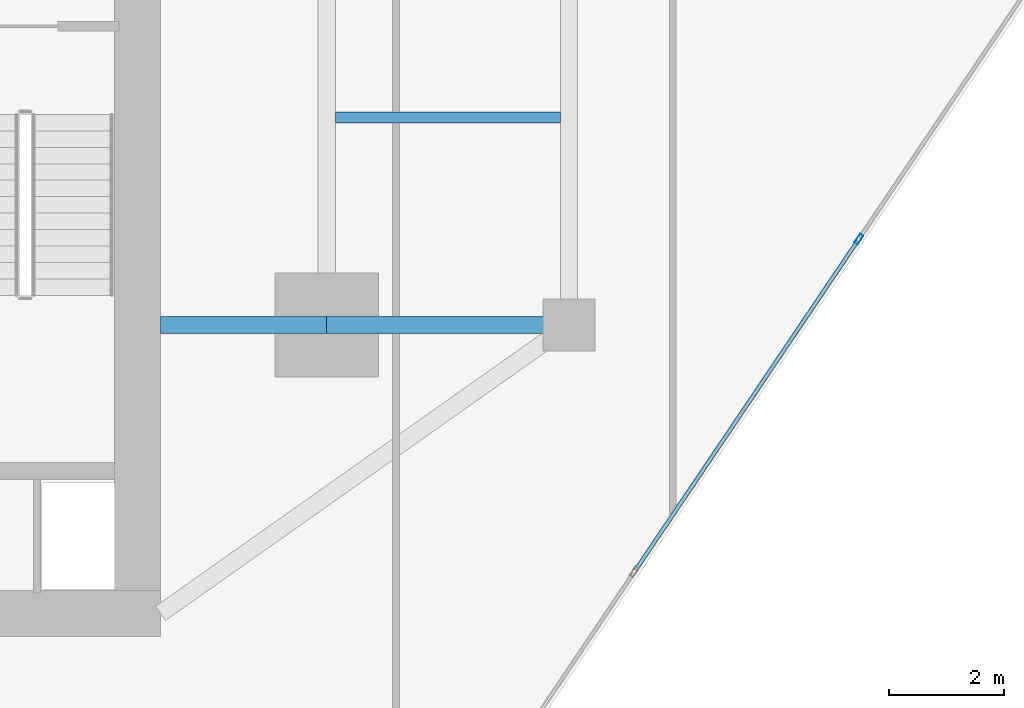
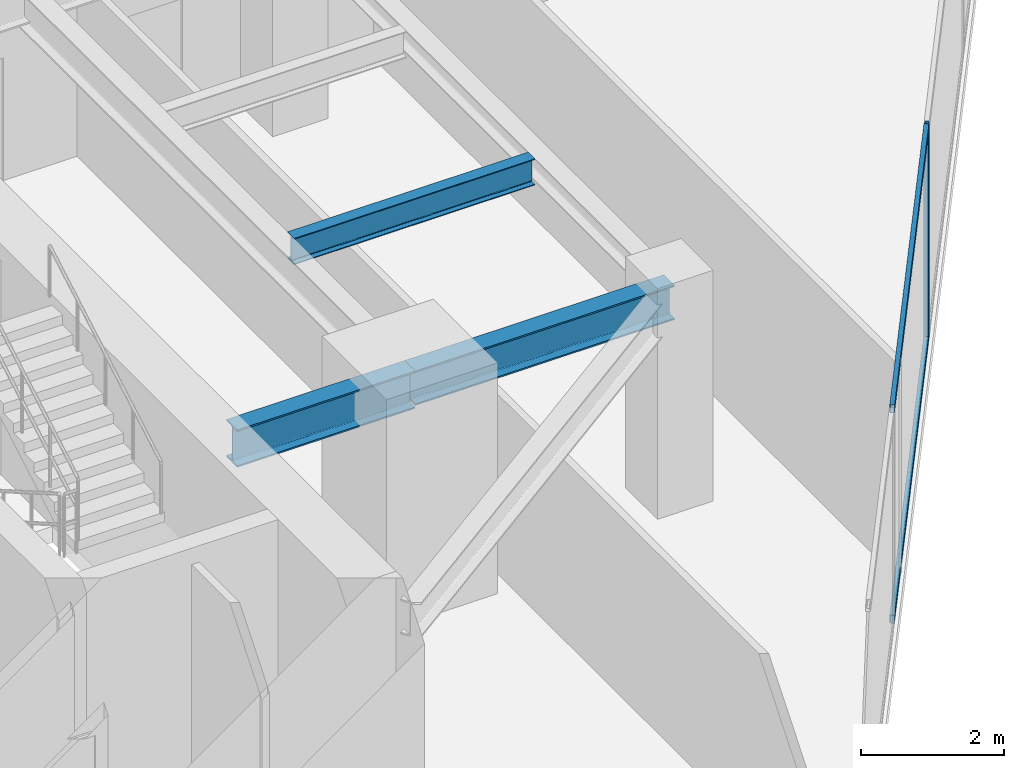
# One storey, part 10 of 27: 3 beams, 3 members, 1 element without a shape of its own.
"""IFC4 building model written with IfcOpenShell, lengths in metres."""

from ifc_helpers import new_model, si_unit, direction, frame, origin, origin_2d, place, context, subcontext, project, spatial, hollow_rectangle, i_section, extrude, source, transform, mapped, material, material_profile, profile_set, type_object, type_shapes, element, aggregate, save


model = new_model("IFC4")

# Units and contexts
model_context = context("Model", 3, precision=1e-05, world=origin(), true_north=direction((0.0, 1.0)))
body_context = subcontext(model_context, "Body", "Model", "MODEL_VIEW")
ifc_project = project(units=[si_unit("LENGTHUNIT", "METRE"), si_unit("AREAUNIT", "SQUARE_METRE"), si_unit("VOLUMEUNIT", "CUBIC_METRE"), si_unit("PLANEANGLEUNIT", "RADIAN"), si_unit("MASSUNIT", "GRAM", prefix="KILO")], contexts=[model_context])

# Site, building, storey
site_placement = place(None, origin())
site = spatial("IfcSite", under=ifc_project, at=site_placement, CompositionType="ELEMENT")
building_placement = place(site_placement, origin())
building = spatial("IfcBuilding", under=site, at=building_placement, Name="Krantzveldt Concourse Tower", CompositionType="ELEMENT")
storey_placement = place(building_placement, frame((0.0, 0.0, 189.64990234375)))
storey = spatial("IfcBuildingStorey", under=building, at=storey_placement, Name="L46", CompositionType="ELEMENT", Elevation=189.64990234375)

# Beams
ifc_material_1 = material(Name="Steel S355JR", Category="steel")
ifc_material_profile_1 = material_profile(ifc_material_1, i_section(OverallWidth=0.300048828125, OverallDepth=0.590087890625, WebThickness=0.012939453125, FlangeThickness=0.02490234375, FilletRadius=0.027099609375, at=origin_2d()), Name="Steel S355JR", Category="steel")
ifc_profile_set_1 = profile_set([ifc_material_profile_1], Name="Steel S355JR - HEA 600")
beam_type_1 = type_object("IfcBeamType", Name="BM-B-HEA600", PredefinedType="BEAM", material=ifc_profile_set_1)
shared_shape_1 = source(origin(), body_context, "Body", "SweptSolid", [
    extrude(i_section(OverallWidth=0.300048828125, OverallDepth=0.590087890625, WebThickness=0.012939453125, FlangeThickness=0.02490234375, FilletRadius=0.027099609375, at=origin_2d()), origin(), (0.0, 0.0, 1.0), 4.199951171875),
])
type_shapes(beam_type_1, [shared_shape_1])
beam_1_placement = place(storey_placement, frame((46.800048828125, 15.89990234375, 3.375), z_axis=(1.0, 0.0, 0.0), x_axis=(0.0, 1.0, 0.0)))
element("IfcBeam", 1, at=beam_1_placement, inside=storey, type_object=beam_type_1, Name="L46 Tower Girder BR-RR1", PredefinedType="BEAM", context=body_context, shape_type="MappedRepresentation", body=[
    mapped(shared_shape_1, transform((0.0, 0.0, 0.0), x_axis=(1.0, 0.0, 0.0), y_axis=(0.0, 1.0, 0.0), z_axis=(0.0, 0.0, 1.0), scale=1.0)),
])
ifc_material_profile_2 = material_profile(ifc_material_1, i_section(OverallWidth=0.300048828125, OverallDepth=0.639892578125, WebThickness=0.013427734375, FlangeThickness=0.02587890625, FilletRadius=0.027099609375, at=origin_2d()), Name="Steel S355JR", Category="steel")
ifc_profile_set_2 = profile_set([ifc_material_profile_2], Name="Steel S355JR - HEA 650")
beam_type_2 = type_object("IfcBeamType", Name="BM-B-HEA650", PredefinedType="BEAM", material=ifc_profile_set_2)
shared_shape_2 = source(origin(), body_context, "Body", "SweptSolid", [
    extrude(i_section(OverallWidth=0.300048828125, OverallDepth=0.639892578125, WebThickness=0.013427734375, FlangeThickness=0.02587890625, FilletRadius=0.027099609375, at=origin_2d()), origin(), (0.0, 0.0, 1.0), 2.880126953125),
])
type_shapes(beam_type_2, [shared_shape_2])
beam_2_placement = place(storey_placement, frame((43.919921875, 15.89990234375, 3.35009765625), z_axis=(1.0, 0.0, 0.0), x_axis=(0.0, 1.0, 0.0)))
element("IfcBeam", 2, at=beam_2_placement, inside=storey, type_object=beam_type_2, Name="L46 Tower Girder BG-CE1", PredefinedType="BEAM", context=body_context, shape_type="MappedRepresentation", body=[
    mapped(shared_shape_2, transform((0.0, 0.0, 0.0), x_axis=(1.0, 0.0, 0.0), y_axis=(0.0, 1.0, 0.0), z_axis=(0.0, 0.0, 1.0), scale=1.0)),
])
ifc_material_profile_3 = material_profile(ifc_material_1, i_section(OverallWidth=0.18994140625, OverallDepth=0.449951171875, WebThickness=0.009521484375, FlangeThickness=0.0146484375, FilletRadius=0.02099609375, at=origin_2d()), Name="Steel S355JR", Category="steel")
ifc_profile_set_3 = profile_set([ifc_material_profile_3], Name="Steel S355JR - IPE 450")
beam_type_3 = type_object("IfcBeamType", Name="BM-J-IPE450", PredefinedType="JOIST", material=ifc_profile_set_3)
shared_shape_3 = source(origin(), body_context, "Body", "SweptSolid", [
    extrude(i_section(OverallWidth=0.18994140625, OverallDepth=0.449951171875, WebThickness=0.009521484375, FlangeThickness=0.0146484375, FilletRadius=0.02099609375, at=origin_2d()), origin(), (0.0, 0.0, 1.0), 3.900146484375),
])
type_shapes(beam_type_3, [shared_shape_3])
beam_3_placement = place(storey_placement, frame((46.949951171875, 19.5, 3.445068359375), z_axis=(1.0, 0.0, 0.0), x_axis=(0.0, 1.0, 0.0)))
element("IfcBeam", 3, at=beam_3_placement, inside=storey, type_object=beam_type_3, Name="L46 Secondary Floor Joist JE-1", PredefinedType="JOIST", context=body_context, shape_type="MappedRepresentation", body=[
    mapped(shared_shape_3, transform((0.0, 0.0, 0.0), x_axis=(1.0, 0.0, 0.0), y_axis=(0.0, 1.0, 0.0), z_axis=(0.0, 0.0, 1.0), scale=1.0)),
])

# Curtain wall, members
ifc_material_2 = material(Name="Anodised aluminium 6063-T6", Category="aluminium")
curtain_wall_type = type_object("IfcCurtainWallType", Name="CW3", PredefinedType="USERDEFINED", material=ifc_material_2)
curtain_wall_placement = place(storey_placement, origin())
curtain_wall = element("IfcCurtainWall", 4, at=curtain_wall_placement, inside=storey, type_object=curtain_wall_type, Name="CW-L46-F07", ObjectType="UNITISED CURTAIN WALL", PredefinedType="USERDEFINED")
ifc_material_profile_4 = material_profile(ifc_material_2, hollow_rectangle(XDim=0.070068359375, YDim=0.179931640625, WallThickness=0.0048828125, at=origin_2d()), Name="Anodised aluminium 6063-T6", Category="aluminium")
ifc_profile_set_4 = profile_set([ifc_material_profile_4], Name="Anodised aluminium 6063-T6 - ALU-MULL 180x70x5")
member_type_1 = type_object("IfcMemberType", Name="CW-MUL-180", PredefinedType="MULLION", material=ifc_profile_set_4)
shared_shape_4 = source(origin(), body_context, "Body", "SweptSolid", [
    extrude(hollow_rectangle(XDim=0.070068359375, YDim=0.179931640625, WallThickness=0.0048828125, at=origin_2d()), origin(), (0.0, 0.0, 1.0), 3.670166015625),
])
type_shapes(member_type_1, [shared_shape_4])
member_1_placement = place(storey_placement, frame((56.02734375, 17.38916015625, 0.0), z_axis=(0.0, 0.0, 1.0), x_axis=(-0.829037635301, 0.559192810447, 0.0)))
member_1 = element("IfcMember", 5, at=member_1_placement, type_object=member_type_1, Name="CW-Z34 mullion 4", PredefinedType="MULLION", context=body_context, shape_type="MappedRepresentation", body=[
    mapped(shared_shape_4, transform((0.0, 0.0, 0.0), x_axis=(1.0, 0.0, 0.0), y_axis=(0.0, 1.0, 0.0), z_axis=(0.0, 0.0, 1.0), scale=1.0)),
])
ifc_material_profile_5 = material_profile(ifc_material_2, hollow_rectangle(XDim=0.070068359375, YDim=0.139892578125, WallThickness=0.0048828125, at=origin_2d()), Name="Anodised aluminium 6063-T6", Category="aluminium")
ifc_profile_set_5 = profile_set([ifc_material_profile_5], Name="Anodised aluminium 6063-T6 - ALU-TRAN 140x70x5")
member_type_2 = type_object("IfcMemberType", Name="CW-TRN-150", PredefinedType="USERDEFINED", material=ifc_profile_set_5)
shared_shape_5 = source(origin(), body_context, "Body", "SweptSolid", [
    extrude(hollow_rectangle(XDim=0.070068359375, YDim=0.139892578125, WallThickness=0.0048828125, at=origin_2d()), origin(), (0.0, 0.0, 1.0), 6.89013671875),
])
type_shapes(member_type_2, [shared_shape_5])
member_2_placement = place(storey_placement, frame((52.15478515625, 11.64794921875, 0.03515625), z_axis=(0.559205670174, 0.829028961162, 0.0), x_axis=(-0.829028961162, 0.559205670174, 0.0)))
member_2 = element("IfcMember", 6, at=member_2_placement, type_object=member_type_2, Name="CW-Z34 transom 3.1", ObjectType="TRANSOM", PredefinedType="USERDEFINED", context=body_context, shape_type="MappedRepresentation", body=[
    mapped(shared_shape_5, transform((0.0, 0.0, 0.0), x_axis=(1.0, 0.0, 0.0), y_axis=(0.0, 1.0, 0.0), z_axis=(0.0, 0.0, 1.0), scale=1.0)),
])
member_3_placement = place(storey_placement, frame((52.15478515625, 11.64794921875, 3.635009765625), z_axis=(0.559205670174, 0.829028961162, 0.0), x_axis=(-0.829028961162, 0.559205670174, 0.0)))
member_3 = element("IfcMember", 7, at=member_3_placement, type_object=member_type_2, Name="CW-Z34 transom 3.2", ObjectType="TRANSOM", PredefinedType="USERDEFINED", context=body_context, shape_type="MappedRepresentation", body=[
    mapped(shared_shape_5, transform((0.0, 0.0, 0.0), x_axis=(1.0, 0.0, 0.0), y_axis=(0.0, 1.0, 0.0), z_axis=(0.0, 0.0, 1.0), scale=1.0)),
])
aggregate(curtain_wall, [member_1, member_2, member_3])

save(model, "model.ifc")
